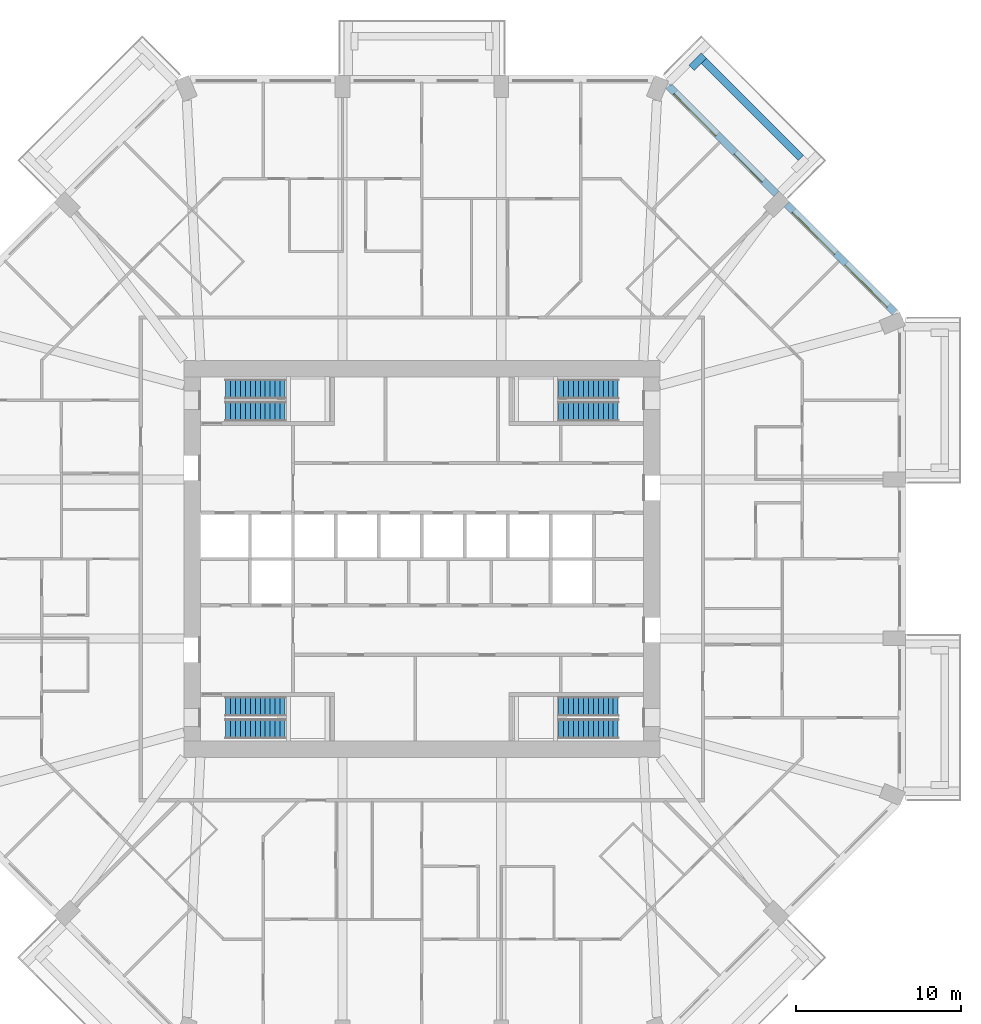
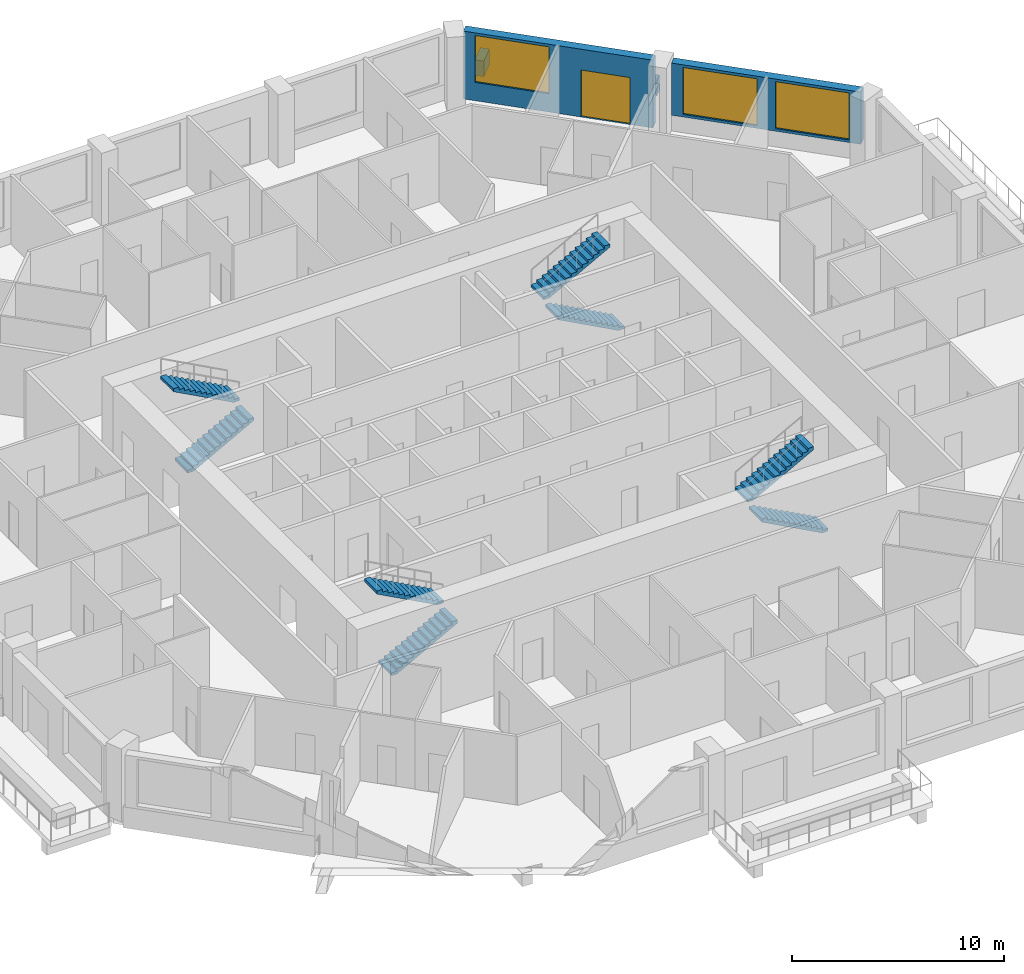
# One storey, part 11 of 13: 8 stair flights, 4 walls, 3 windows, 1 door, 4 openings, 4 elements without a shape of their own.
"""IFC4 building model written with IfcOpenShell, lengths in metres."""

from ifc_helpers import new_model, si_unit, direction, frame, frame_2d, origin, place, context, subcontext, project, spatial, polyline, rectangle, outline, extrude, material, layer, layer_set, type_object, element, fill, aggregate, save


model = new_model("IFC4")

# Units and contexts
model_context = context("Model", 3, precision=1e-05, world=origin(), true_north=direction((0.0, 1.0)))
body_context = subcontext(model_context, "Body", "Model", "MODEL_VIEW")
ifc_project = project(units=[si_unit("LENGTHUNIT", "METRE"), si_unit("AREAUNIT", "SQUARE_METRE"), si_unit("VOLUMEUNIT", "CUBIC_METRE"), si_unit("PLANEANGLEUNIT", "RADIAN"), si_unit("MASSUNIT", "GRAM", prefix="KILO")], contexts=[model_context])

# Site, building, storey
site_placement = place(None, origin())
site = spatial("IfcSite", under=ifc_project, at=site_placement, CompositionType="ELEMENT")
building_placement = place(site_placement, origin())
building = spatial("IfcBuilding", under=site, at=building_placement, Name="Msitu Wima Residences", CompositionType="ELEMENT")
storey_placement = place(building_placement, frame((0.0, 0.0, 25.5)))
storey = spatial("IfcBuildingStorey", under=building, at=storey_placement, Name="L05", CompositionType="ELEMENT", Elevation=25.5)

# Walls
ifc_material_1 = material(Name="Facing brick")
ifc_layer_1 = layer(ifc_material_1, 0.06494140625, Name="Facing brick")
ifc_material_2 = material(Name="Concrete C40/50", Category="concrete")
ifc_layer_2 = layer(ifc_material_2, 0.156005859375, Name="Concrete C40/50")
ifc_material_3 = material(Name="Waterproofing membrane")
ifc_layer_3 = layer(ifc_material_3, 0.00390625, Name="Waterproofing membrane")
ifc_material_4 = material(Name="Planting soil and planting")
ifc_layer_4 = layer(ifc_material_4, 0.22509765625, Name="Planting soil and planting")
ifc_layer_set_1 = layer_set([ifc_layer_1, ifc_layer_2, ifc_layer_3, ifc_layer_4], Name="Concrete C40/50")
wall_type_1 = type_object("IfcWallType", Name="Balcony planter PLANTER PL450", PredefinedType="USERDEFINED", material=ifc_layer_set_1)
wall_1_placement = place(storey_placement, frame((22.92578125, 24.269287109375, 0.0), z_axis=(0.0, 0.0, 1.0), x_axis=(-0.707106781187, 0.707106781187, 0.0)))
element("IfcWall", 1, at=wall_1_placement, inside=storey, type_object=wall_type_1, Name="Balcony planter NE1 L05", ObjectType="PLANTER", PredefinedType="USERDEFINED", context=body_context, shape_type="SweptSolid", body=[
    extrude(rectangle(XDim=8.2822265625, YDim=0.449951171875, at=frame_2d((4.14111328125, 0.0))), origin(), (0.0, 0.0, 1.0), 0.89990234375),
])
wall_2_placement = place(storey_placement, frame((16.326904296875, 29.70166015625, 0.0), z_axis=(0.0, 0.0, 1.0), x_axis=(0.707106781187, 0.707106781187, 0.0)))
element("IfcWall", 2, at=wall_2_placement, inside=storey, type_object=wall_type_1, Name="Balcony planter NE1 L05", ObjectType="PLANTER", PredefinedType="USERDEFINED", context=body_context, shape_type="SweptSolid", body=[
    extrude(rectangle(XDim=1.050048828125, YDim=0.449951171875, at=frame_2d((0.52490234375, 0.0))), origin(), (0.0, 0.0, 1.0), 0.89990234375),
])

# Wall, openings, windows
ifc_material_5 = material(Name="Brick (red buff mix)", Category="masonry")
ifc_layer_5 = layer(ifc_material_5, 0.449951171875)
ifc_layer_set_2 = layer_set([ifc_layer_5], Name="Brick (red buff mix)")
wall_type_2 = type_object("IfcWallType", Name="Brick infill wall BW450", PredefinedType="SOLIDWALL", material=ifc_layer_set_2)
wall_3_placement = place(storey_placement, frame((28.61474609375, 14.903564453125, 0.89990234375), z_axis=(0.0, 0.0, 1.0), x_axis=(-0.707106781187, 0.707106781187, 0.0)))
wall_3 = element("IfcWall", 3, at=wall_3_placement, inside=storey, type_object=wall_type_2, Name="Brick infill wall L05 NE0", PredefinedType="SOLIDWALL", context=body_context, shape_type="SweptSolid", body=[
    extrude(rectangle(XDim=9.2451171875, YDim=0.449951171875, at=frame_2d((4.62255859375, 0.0))), origin(), (0.0, 0.0, 1.0), 3.0),
])
opening_1_placement = place(wall_3_placement, frame((0.572509765625, 0.0, 0.14990234375)))
opening_1 = element("IfcOpeningElement", 4, at=opening_1_placement, cuts=wall_3, Name="Opening W05-07.010", PredefinedType="OPENING", context=body_context, shape_type="SweptSolid", body=[
    extrude(rectangle(XDim=3.60009765625, YDim=2.699951171875, at=frame_2d((1.800048828125, 1.35009765625))), frame((0.0, 0.23486328125, 0.0), z_axis=(0.0, -1.0, 0.0), x_axis=(1.0, 0.0, 0.0)), (0.0, 0.0, 1.0), 0.469970703125),
])
opening_2_placement = place(wall_3_placement, frame((5.072509765625, 0.0, 0.14990234375)))
opening_2 = element("IfcOpeningElement", 5, at=opening_2_placement, cuts=wall_3, Name="Opening W05-07.011", PredefinedType="OPENING", context=body_context, shape_type="SweptSolid", body=[
    extrude(rectangle(XDim=3.60009765625, YDim=2.699951171875, at=frame_2d((1.800048828125, 1.35009765625))), frame((0.0, 0.23486328125, 0.0), z_axis=(0.0, -1.0, 0.0), x_axis=(1.0, 0.0, 0.0)), (0.0, 0.0, 1.0), 0.469970703125),
])
ifc_material_6 = material(Name="Anodised aluminium, bronze finish, clear low-emissivity double glazing", Category="aluminium")
window_type = type_object("IfcWindowType", Name="Window W3600x2700", PartitioningType="DOUBLE_PANEL_VERTICAL", PredefinedType="WINDOW", material=ifc_material_6)
window_1_placement = place(opening_1_placement, origin())
window_1 = element("IfcWindow", 6, at=window_1_placement, inside=storey, type_object=window_type, Name="Window L05 NE0.1", OverallHeight=2.699951171875, OverallWidth=3.60009765625, PartitioningType="SINGLE_PANEL", PredefinedType="WINDOW", context=body_context, shape_type="SweptSolid", body=[
    extrude(rectangle(XDim=3.60009765625, YDim=2.699951171875, at=frame_2d((1.800048828125, 1.35009765625))), frame((0.0, 0.135009765625, 0.0), z_axis=(0.0, -1.0, 0.0), x_axis=(1.0, 0.0, 0.0)), (0.0, 0.0, 1.0), 0.06005859375),
])
fill(opening_1, window_1)
window_2_placement = place(opening_2_placement, origin())
window_2 = element("IfcWindow", 7, at=window_2_placement, inside=storey, type_object=window_type, Name="Window L05 NE0.2", OverallHeight=2.699951171875, OverallWidth=3.60009765625, PartitioningType="SINGLE_PANEL", PredefinedType="WINDOW", context=body_context, shape_type="SweptSolid", body=[
    extrude(rectangle(XDim=3.60009765625, YDim=2.699951171875, at=frame_2d((1.800048828125, 1.35009765625))), frame((0.0, 0.135009765625, 0.0), z_axis=(0.0, -1.0, 0.0), x_axis=(1.0, 0.0, 0.0)), (0.0, 0.0, 1.0), 0.06005859375),
])
fill(opening_2, window_2)

# Wall, openings, door, window
wall_4_placement = place(storey_placement, frame((21.44091796875, 22.077392578125, 0.0), z_axis=(0.0, 0.0, 1.0), x_axis=(-0.707106781187, 0.707106781187, 0.0)))
wall_4 = element("IfcWall", 8, at=wall_4_placement, inside=storey, type_object=wall_type_2, Name="Brick infill wall L05 NE1", PredefinedType="SOLIDWALL", context=body_context, shape_type="SweptSolid", body=[
    extrude(rectangle(XDim=9.2451171875, YDim=0.449951171875, at=frame_2d((4.62255859375, 0.0))), origin(), (0.0, 0.0, 1.0), 3.89990234375),
])
opening_3_placement = place(wall_4_placement, frame((1.111328125, 0.0, 0.0)))
opening_3 = element("IfcOpeningElement", 9, at=opening_3_placement, cuts=wall_4, Name="Opening D05-07.004", PredefinedType="OPENING", context=body_context, shape_type="SweptSolid", body=[
    extrude(rectangle(XDim=2.39990234375, YDim=2.699951171875, at=frame_2d((1.199951171875, 1.35009765625))), frame((0.0, 0.23486328125, 0.0), z_axis=(0.0, -1.0, 0.0), x_axis=(1.0, 0.0, 0.0)), (0.0, 0.0, 1.0), 0.469970703125),
])
opening_4_placement = place(wall_4_placement, frame((5.072509765625, 0.0, 1.050048828125)))
opening_4 = element("IfcOpeningElement", 10, at=opening_4_placement, cuts=wall_4, Name="Opening W05-07.012", PredefinedType="OPENING", context=body_context, shape_type="SweptSolid", body=[
    extrude(rectangle(XDim=3.60009765625, YDim=2.699951171875, at=frame_2d((1.800048828125, 1.35009765625))), frame((0.0, 0.23486328125, 0.0), z_axis=(0.0, -1.0, 0.0), x_axis=(1.0, 0.0, 0.0)), (0.0, 0.0, 1.0), 0.469970703125),
])
door_type = type_object("IfcDoorType", Name="Balcony door D2400x2700", OperationType="SLIDING_TO_LEFT", PredefinedType="DOOR", material=ifc_material_6)
door_placement = place(opening_3_placement, origin())
door = element("IfcDoor", 11, at=door_placement, inside=storey, type_object=door_type, Name="Balcony door L05 NE1", OperationType="SINGLE_SWING_LEFT", OverallHeight=2.699951171875, OverallWidth=2.39990234375, PredefinedType="DOOR", context=body_context, shape_type="SweptSolid", body=[
    extrude(rectangle(XDim=2.39990234375, YDim=2.699951171875, at=frame_2d((1.199951171875, 1.35009765625))), frame((0.0, 0.1298828125, 0.0), z_axis=(0.0, -1.0, 0.0), x_axis=(1.0, 0.0, 0.0)), (0.0, 0.0, 1.0), 0.050048828125),
])
fill(opening_3, door)
window_3_placement = place(opening_4_placement, origin())
window_3 = element("IfcWindow", 12, at=window_3_placement, inside=storey, type_object=window_type, Name="Window L05 NE1.2", OverallHeight=2.699951171875, OverallWidth=3.60009765625, PartitioningType="SINGLE_PANEL", PredefinedType="WINDOW", context=body_context, shape_type="SweptSolid", body=[
    extrude(rectangle(XDim=3.60009765625, YDim=2.699951171875, at=frame_2d((1.800048828125, 1.35009765625))), frame((0.0, 0.135009765625, 0.0), z_axis=(0.0, -1.0, 0.0), x_axis=(1.0, 0.0, 0.0)), (0.0, 0.0, 1.0), 0.06005859375),
])
fill(opening_4, window_3)

# Stair, stair flights
stair_type = type_object("IfcStairType", Name="Exit stair ES1615-120", PredefinedType="HALF_TURN_STAIR", material=ifc_material_2)
stair_1_placement = place(storey_placement, origin())
stair_1 = element("IfcStair", 13, at=stair_1_placement, inside=storey, type_object=stair_type, Name="Exit stair 1", PredefinedType="HALF_TURN_STAIR")
stair_flight_type = type_object("IfcStairFlightType", Name="Exit stair flight ES1615-120", PredefinedType="STRAIGHT", material=ifc_material_2)
stair_flight_1_placement = place(storey_placement, frame((-11.875, 8.925048828125, 0.0), z_axis=(0.0, 0.0, 1.0), x_axis=(1.0, 0.0, 0.0)))
stair_flight_1 = element("IfcStairFlight", 14, at=stair_flight_1_placement, type_object=stair_flight_type, Name="S1 flight 1", NumberOfRisers=13, NumberOfTreads=12, PredefinedType="STRAIGHT", RiserHeight=0.161538462, TreadLength=0.3, context=body_context, shape_type="SweptSolid", body=[
    extrude(outline(polyline([(0.0, 0.0), (0.0, 0.16162109375), (0.300048828125, 0.16162109375), (0.300048828125, 0.322998046875), (0.60009765625, 0.322998046875), (0.60009765625, 0.484619140625), (0.89990234375, 0.484619140625), (0.89990234375, 0.646240234375), (1.199951171875, 0.646240234375), (1.199951171875, 0.8076171875), (1.5, 0.8076171875), (1.5, 0.96923828125), (1.800048828125, 0.96923828125), (1.800048828125, 1.130859375), (2.10009765625, 1.130859375), (2.10009765625, 1.292236328125), (2.39990234375, 1.292236328125), (2.39990234375, 1.453857421875), (2.699951171875, 1.453857421875), (2.699951171875, 1.615478515625), (3.0, 1.615478515625), (3.0, 1.77685546875), (3.300048828125, 1.77685546875), (3.300048828125, 1.9384765625), (3.60009765625, 1.9384765625), (3.60009765625, 2.10009765625), (3.60009765625, 1.768310546875), (0.316162109375, 0.0), (0.0, 0.0)])), frame((0.0, 0.60009765625, 0.0), z_axis=(0.0, -1.0, 0.0), x_axis=(1.0, 0.0, 0.0)), (0.0, 0.0, 1.0), 1.199951171875),
])
stair_flight_2_placement = place(storey_placement, frame((-8.27490234375, 10.27490234375, 2.10009765625), z_axis=(0.0, 0.0, 1.0), x_axis=(-1.0, 0.0, 0.0)))
stair_flight_2 = element("IfcStairFlight", 15, at=stair_flight_2_placement, type_object=stair_flight_type, Name="S1 flight 2", NumberOfRisers=13, NumberOfTreads=12, PredefinedType="STRAIGHT", RiserHeight=0.161538462, TreadLength=0.3, context=body_context, shape_type="SweptSolid", body=[
    extrude(outline(polyline([(0.0, 0.0), (0.0, 0.16162109375), (0.300048828125, 0.16162109375), (0.300048828125, 0.322998046875), (0.60009765625, 0.322998046875), (0.60009765625, 0.484619140625), (0.89990234375, 0.484619140625), (0.89990234375, 0.646240234375), (1.199951171875, 0.646240234375), (1.199951171875, 0.8076171875), (1.5, 0.8076171875), (1.5, 0.96923828125), (1.800048828125, 0.96923828125), (1.800048828125, 1.130859375), (2.10009765625, 1.130859375), (2.10009765625, 1.292236328125), (2.39990234375, 1.292236328125), (2.39990234375, 1.453857421875), (2.699951171875, 1.453857421875), (2.699951171875, 1.615478515625), (3.0, 1.615478515625), (3.0, 1.77685546875), (3.300048828125, 1.77685546875), (3.300048828125, 1.9384765625), (3.60009765625, 1.9384765625), (3.60009765625, 2.10009765625), (3.60009765625, 1.768310546875), (0.316162109375, 0.0), (0.0, 0.0)])), frame((0.0, 0.60009765625, 0.0), z_axis=(0.0, -1.0, 0.0), x_axis=(1.0, 0.0, 0.0)), (0.0, 0.0, 1.0), 1.199951171875),
])
aggregate(stair_1, [stair_flight_1, stair_flight_2])

stair_2_placement = place(storey_placement, origin())
stair_2 = element("IfcStair", 16, at=stair_2_placement, inside=storey, type_object=stair_type, Name="Exit stair 2", PredefinedType="HALF_TURN_STAIR")
stair_flight_3_placement = place(storey_placement, frame((-11.875, -10.27490234375, 0.0), z_axis=(0.0, 0.0, 1.0), x_axis=(1.0, 0.0, 0.0)))
stair_flight_3 = element("IfcStairFlight", 17, at=stair_flight_3_placement, type_object=stair_flight_type, Name="S2 flight 1", NumberOfRisers=13, NumberOfTreads=12, PredefinedType="STRAIGHT", RiserHeight=0.161538462, TreadLength=0.3, context=body_context, shape_type="SweptSolid", body=[
    extrude(outline(polyline([(0.0, 0.0), (0.0, 0.16162109375), (0.300048828125, 0.16162109375), (0.300048828125, 0.322998046875), (0.60009765625, 0.322998046875), (0.60009765625, 0.484619140625), (0.89990234375, 0.484619140625), (0.89990234375, 0.646240234375), (1.199951171875, 0.646240234375), (1.199951171875, 0.8076171875), (1.5, 0.8076171875), (1.5, 0.96923828125), (1.800048828125, 0.96923828125), (1.800048828125, 1.130859375), (2.10009765625, 1.130859375), (2.10009765625, 1.292236328125), (2.39990234375, 1.292236328125), (2.39990234375, 1.453857421875), (2.699951171875, 1.453857421875), (2.699951171875, 1.615478515625), (3.0, 1.615478515625), (3.0, 1.77685546875), (3.300048828125, 1.77685546875), (3.300048828125, 1.9384765625), (3.60009765625, 1.9384765625), (3.60009765625, 2.10009765625), (3.60009765625, 1.768310546875), (0.316162109375, 0.0), (0.0, 0.0)])), frame((0.0, 0.60009765625, 0.0), z_axis=(0.0, -1.0, 0.0), x_axis=(1.0, 0.0, 0.0)), (0.0, 0.0, 1.0), 1.199951171875),
])
stair_flight_4_placement = place(storey_placement, frame((-8.27490234375, -8.925048828125, 2.10009765625), z_axis=(0.0, 0.0, 1.0), x_axis=(-1.0, 0.0, 0.0)))
stair_flight_4 = element("IfcStairFlight", 18, at=stair_flight_4_placement, type_object=stair_flight_type, Name="S2 flight 2", NumberOfRisers=13, NumberOfTreads=12, PredefinedType="STRAIGHT", RiserHeight=0.161538462, TreadLength=0.3, context=body_context, shape_type="SweptSolid", body=[
    extrude(outline(polyline([(0.0, 0.0), (0.0, 0.16162109375), (0.300048828125, 0.16162109375), (0.300048828125, 0.322998046875), (0.60009765625, 0.322998046875), (0.60009765625, 0.484619140625), (0.89990234375, 0.484619140625), (0.89990234375, 0.646240234375), (1.199951171875, 0.646240234375), (1.199951171875, 0.8076171875), (1.5, 0.8076171875), (1.5, 0.96923828125), (1.800048828125, 0.96923828125), (1.800048828125, 1.130859375), (2.10009765625, 1.130859375), (2.10009765625, 1.292236328125), (2.39990234375, 1.292236328125), (2.39990234375, 1.453857421875), (2.699951171875, 1.453857421875), (2.699951171875, 1.615478515625), (3.0, 1.615478515625), (3.0, 1.77685546875), (3.300048828125, 1.77685546875), (3.300048828125, 1.9384765625), (3.60009765625, 1.9384765625), (3.60009765625, 2.10009765625), (3.60009765625, 1.768310546875), (0.316162109375, 0.0), (0.0, 0.0)])), frame((0.0, 0.60009765625, 0.0), z_axis=(0.0, -1.0, 0.0), x_axis=(1.0, 0.0, 0.0)), (0.0, 0.0, 1.0), 1.199951171875),
])
aggregate(stair_2, [stair_flight_3, stair_flight_4])

stair_3_placement = place(storey_placement, origin())
stair_3 = element("IfcStair", 19, at=stair_3_placement, inside=storey, type_object=stair_type, Name="Exit stair 3", PredefinedType="HALF_TURN_STAIR")
stair_flight_5_placement = place(storey_placement, frame((11.875, 8.925048828125, 0.0), z_axis=(0.0, 0.0, 1.0), x_axis=(-1.0, 0.0, 0.0)))
stair_flight_5 = element("IfcStairFlight", 20, at=stair_flight_5_placement, type_object=stair_flight_type, Name="S3 flight 1", NumberOfRisers=13, NumberOfTreads=12, PredefinedType="STRAIGHT", RiserHeight=0.161538462, TreadLength=0.3, context=body_context, shape_type="SweptSolid", body=[
    extrude(outline(polyline([(0.0, 0.0), (0.0, 0.16162109375), (0.300048828125, 0.16162109375), (0.300048828125, 0.322998046875), (0.60009765625, 0.322998046875), (0.60009765625, 0.484619140625), (0.89990234375, 0.484619140625), (0.89990234375, 0.646240234375), (1.199951171875, 0.646240234375), (1.199951171875, 0.8076171875), (1.5, 0.8076171875), (1.5, 0.96923828125), (1.800048828125, 0.96923828125), (1.800048828125, 1.130859375), (2.10009765625, 1.130859375), (2.10009765625, 1.292236328125), (2.39990234375, 1.292236328125), (2.39990234375, 1.453857421875), (2.699951171875, 1.453857421875), (2.699951171875, 1.615478515625), (3.0, 1.615478515625), (3.0, 1.77685546875), (3.300048828125, 1.77685546875), (3.300048828125, 1.9384765625), (3.60009765625, 1.9384765625), (3.60009765625, 2.10009765625), (3.60009765625, 1.768310546875), (0.316162109375, 0.0), (0.0, 0.0)])), frame((0.0, 0.60009765625, 0.0), z_axis=(0.0, -1.0, 0.0), x_axis=(1.0, 0.0, 0.0)), (0.0, 0.0, 1.0), 1.199951171875),
])
stair_flight_6_placement = place(storey_placement, frame((8.27490234375, 10.27490234375, 2.10009765625), z_axis=(0.0, 0.0, 1.0), x_axis=(1.0, 0.0, 0.0)))
stair_flight_6 = element("IfcStairFlight", 21, at=stair_flight_6_placement, type_object=stair_flight_type, Name="S3 flight 2", NumberOfRisers=13, NumberOfTreads=12, PredefinedType="STRAIGHT", RiserHeight=0.161538462, TreadLength=0.3, context=body_context, shape_type="SweptSolid", body=[
    extrude(outline(polyline([(0.0, 0.0), (0.0, 0.16162109375), (0.300048828125, 0.16162109375), (0.300048828125, 0.322998046875), (0.60009765625, 0.322998046875), (0.60009765625, 0.484619140625), (0.89990234375, 0.484619140625), (0.89990234375, 0.646240234375), (1.199951171875, 0.646240234375), (1.199951171875, 0.8076171875), (1.5, 0.8076171875), (1.5, 0.96923828125), (1.800048828125, 0.96923828125), (1.800048828125, 1.130859375), (2.10009765625, 1.130859375), (2.10009765625, 1.292236328125), (2.39990234375, 1.292236328125), (2.39990234375, 1.453857421875), (2.699951171875, 1.453857421875), (2.699951171875, 1.615478515625), (3.0, 1.615478515625), (3.0, 1.77685546875), (3.300048828125, 1.77685546875), (3.300048828125, 1.9384765625), (3.60009765625, 1.9384765625), (3.60009765625, 2.10009765625), (3.60009765625, 1.768310546875), (0.316162109375, 0.0), (0.0, 0.0)])), frame((0.0, 0.60009765625, 0.0), z_axis=(0.0, -1.0, 0.0), x_axis=(1.0, 0.0, 0.0)), (0.0, 0.0, 1.0), 1.199951171875),
])
aggregate(stair_3, [stair_flight_5, stair_flight_6])

stair_4_placement = place(storey_placement, origin())
stair_4 = element("IfcStair", 22, at=stair_4_placement, inside=storey, type_object=stair_type, Name="Exit stair 4", PredefinedType="HALF_TURN_STAIR")
stair_flight_7_placement = place(storey_placement, frame((11.875, -10.27490234375, 0.0), z_axis=(0.0, 0.0, 1.0), x_axis=(-1.0, 0.0, 0.0)))
stair_flight_7 = element("IfcStairFlight", 23, at=stair_flight_7_placement, type_object=stair_flight_type, Name="S4 flight 1", NumberOfRisers=13, NumberOfTreads=12, PredefinedType="STRAIGHT", RiserHeight=0.161538462, TreadLength=0.3, context=body_context, shape_type="SweptSolid", body=[
    extrude(outline(polyline([(0.0, 0.0), (0.0, 0.16162109375), (0.300048828125, 0.16162109375), (0.300048828125, 0.322998046875), (0.60009765625, 0.322998046875), (0.60009765625, 0.484619140625), (0.89990234375, 0.484619140625), (0.89990234375, 0.646240234375), (1.199951171875, 0.646240234375), (1.199951171875, 0.8076171875), (1.5, 0.8076171875), (1.5, 0.96923828125), (1.800048828125, 0.96923828125), (1.800048828125, 1.130859375), (2.10009765625, 1.130859375), (2.10009765625, 1.292236328125), (2.39990234375, 1.292236328125), (2.39990234375, 1.453857421875), (2.699951171875, 1.453857421875), (2.699951171875, 1.615478515625), (3.0, 1.615478515625), (3.0, 1.77685546875), (3.300048828125, 1.77685546875), (3.300048828125, 1.9384765625), (3.60009765625, 1.9384765625), (3.60009765625, 2.10009765625), (3.60009765625, 1.768310546875), (0.316162109375, 0.0), (0.0, 0.0)])), frame((0.0, 0.60009765625, 0.0), z_axis=(0.0, -1.0, 0.0), x_axis=(1.0, 0.0, 0.0)), (0.0, 0.0, 1.0), 1.199951171875),
])
stair_flight_8_placement = place(storey_placement, frame((8.27490234375, -8.925048828125, 2.10009765625), z_axis=(0.0, 0.0, 1.0), x_axis=(1.0, 0.0, 0.0)))
stair_flight_8 = element("IfcStairFlight", 24, at=stair_flight_8_placement, type_object=stair_flight_type, Name="S4 flight 2", NumberOfRisers=13, NumberOfTreads=12, PredefinedType="STRAIGHT", RiserHeight=0.161538462, TreadLength=0.3, context=body_context, shape_type="SweptSolid", body=[
    extrude(outline(polyline([(0.0, 0.0), (0.0, 0.16162109375), (0.300048828125, 0.16162109375), (0.300048828125, 0.322998046875), (0.60009765625, 0.322998046875), (0.60009765625, 0.484619140625), (0.89990234375, 0.484619140625), (0.89990234375, 0.646240234375), (1.199951171875, 0.646240234375), (1.199951171875, 0.8076171875), (1.5, 0.8076171875), (1.5, 0.96923828125), (1.800048828125, 0.96923828125), (1.800048828125, 1.130859375), (2.10009765625, 1.130859375), (2.10009765625, 1.292236328125), (2.39990234375, 1.292236328125), (2.39990234375, 1.453857421875), (2.699951171875, 1.453857421875), (2.699951171875, 1.615478515625), (3.0, 1.615478515625), (3.0, 1.77685546875), (3.300048828125, 1.77685546875), (3.300048828125, 1.9384765625), (3.60009765625, 1.9384765625), (3.60009765625, 2.10009765625), (3.60009765625, 1.768310546875), (0.316162109375, 0.0), (0.0, 0.0)])), frame((0.0, 0.60009765625, 0.0), z_axis=(0.0, -1.0, 0.0), x_axis=(1.0, 0.0, 0.0)), (0.0, 0.0, 1.0), 1.199951171875),
])
aggregate(stair_4, [stair_flight_7, stair_flight_8])

save(model, "model.ifc")
